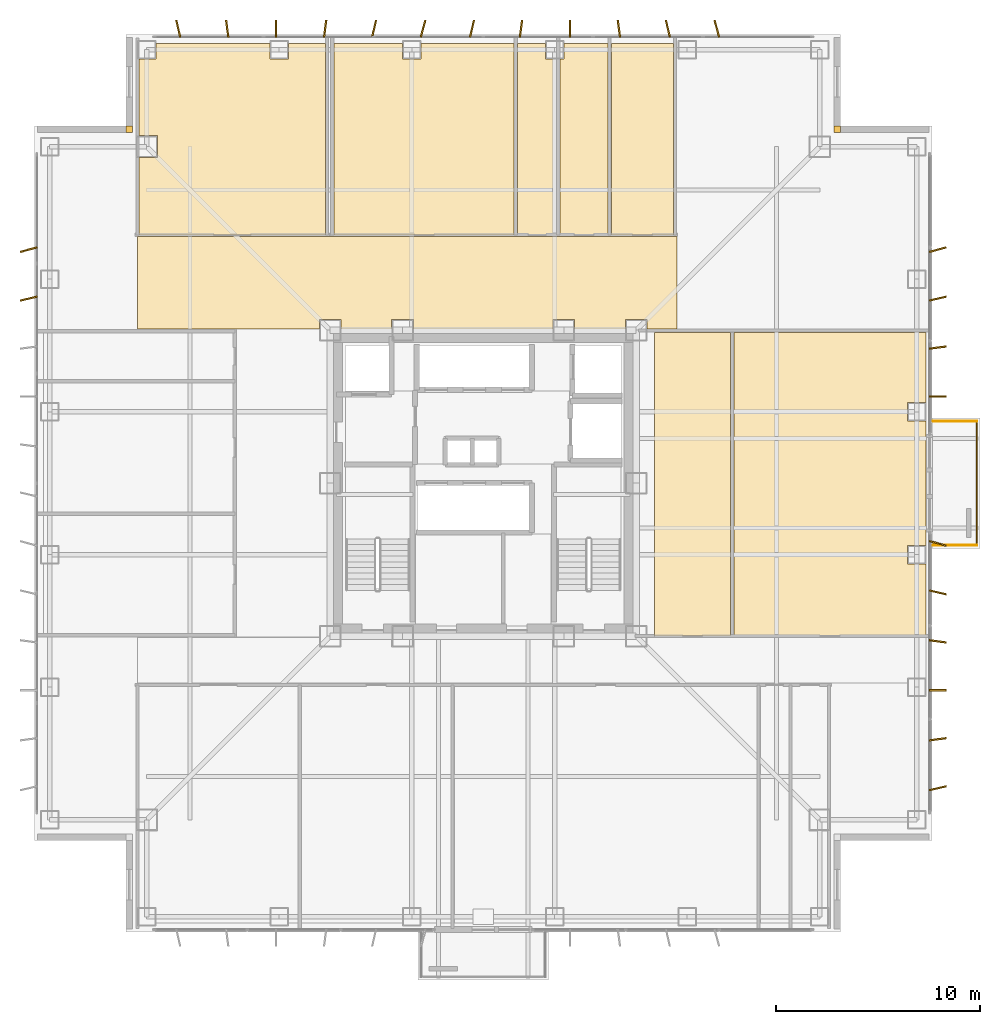
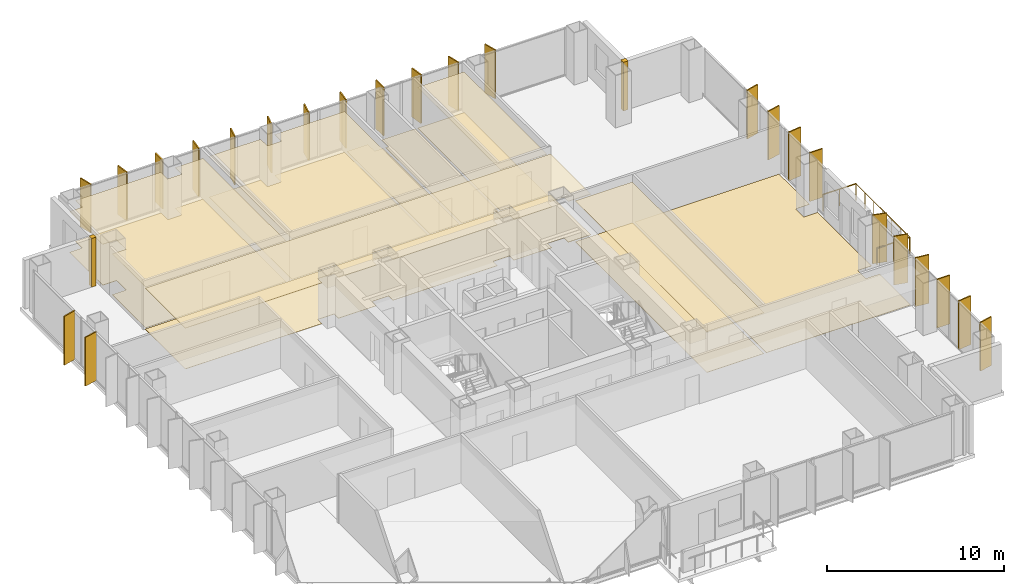
# One storey, part 18 of 18: 24 shading devices, 15 coverings, 3 railings.
"""IFC4 building model written with IfcOpenShell, lengths in metres."""

from ifc_helpers import new_model, si_unit, direction, frame, origin, origin_2d, place, context, subcontext, project, spatial, polyline, rectangle, circle, outline, extrude, material, layer, layer_set, type_object, element, save


model = new_model("IFC4")

# Units and contexts
model_context = context("Model", 3, precision=1e-05, world=origin(), true_north=direction((0.0, 1.0)))
body_context = subcontext(model_context, "Body", "Model", "MODEL_VIEW")
ifc_project = project(units=[si_unit("LENGTHUNIT", "METRE"), si_unit("AREAUNIT", "SQUARE_METRE"), si_unit("VOLUMEUNIT", "CUBIC_METRE"), si_unit("PLANEANGLEUNIT", "RADIAN"), si_unit("MASSUNIT", "GRAM", prefix="KILO")], contexts=[model_context])

# Site, building, storey
site_placement = place(None, origin())
site = spatial("IfcSite", under=ifc_project, at=site_placement, CompositionType="ELEMENT")
building_placement = place(site_placement, origin())
building = spatial("IfcBuilding", under=site, at=building_placement, Name="Trevonay Congress Spire", CompositionType="ELEMENT")
storey_placement = place(building_placement, frame((0.0, 0.0, 104.800048828125)))
storey = spatial("IfcBuildingStorey", under=building, at=storey_placement, Name="L26", CompositionType="ELEMENT", Elevation=104.800048828125)

# Coverings
ifc_material_1 = material(Name="Acoustic Mineral Fibre Board", Category="gypsum")
ifc_layer_1 = layer(ifc_material_1, 0.02490234375, Name="Acoustic Mineral Fibre Board")
ifc_layer_set_1 = layer_set([ifc_layer_1], Name="Acoustic Mineral Fibre Board")
covering_type_1 = type_object("IfcCoveringType", Name="COV-CEIL-ACOUSTIC", PredefinedType="CEILING", material=ifc_layer_set_1)
covering_1_placement = place(storey_placement, frame((0.0, 0.0, 2.81005859375)))
element("IfcCovering", 1, at=covering_1_placement, inside=storey, type_object=covering_type_1, Name="L26 North Sky Promenade Salon acoustic suspended ceiling", PredefinedType="CEILING", context=body_context, shape_type="SweptSolid", body=[
    extrude(outline(polyline([(-16.949951171875, 12.10009765625), (9.5, 12.10009765625), (9.5, 7.550048828125), (8.034912109375, 7.550048828125), (8.034912109375, 8.034912109375), (6.965087890625, 8.034912109375), (6.965087890625, 7.550048828125), (4.485107421875, 7.550048828125), (4.485107421875, 8.034912109375), (3.4150390625, 8.034912109375), (3.4150390625, 7.550048828125), (-3.4150390625, 7.550048828125), (-3.4150390625, 8.034912109375), (-4.485107421875, 8.034912109375), (-4.485107421875, 7.550048828125), (-6.965087890625, 7.550048828125), (-6.965087890625, 8.034912109375), (-8.034912109375, 8.034912109375), (-8.034912109375, 7.56005859375), (-12.110107421875, 7.56005859375), (-12.110107421875, 7.550048828125), (-16.949951171875, 7.550048828125), (-16.949951171875, 12.10009765625)])), origin(), (0.0, 0.0, 1.0), 0.02490234375),
])
covering_2_placement = place(storey_placement, frame((0.0, 0.0, 2.81005859375)))
element("IfcCovering", 2, at=covering_2_placement, inside=storey, type_object=covering_type_1, Name="L26 Treaty Seminar Salon North-West acoustic suspended ceiling", PredefinedType="CEILING", context=body_context, shape_type="SweptSolid", body=[
    extrude(outline(polyline([(-7.72998046875, 21.550048828125), (-7.72998046875, 12.179931640625), (-16.8701171875, 12.179931640625), (-16.8701171875, 15.965087890625), (-15.965087890625, 15.965087890625), (-15.965087890625, 17.034912109375), (-16.8701171875, 17.034912109375), (-16.8701171875, 20.7900390625), (-16.0400390625, 20.7900390625), (-16.0400390625, 21.550048828125), (-10.4599609375, 21.550048828125), (-10.4599609375, 20.7900390625), (-9.5400390625, 20.7900390625), (-9.5400390625, 21.550048828125), (-7.72998046875, 21.550048828125)])), origin(), (0.0, 0.0, 1.0), 0.02490234375),
])
covering_3_placement = place(storey_placement, frame((0.0, 0.0, 2.81005859375)))
element("IfcCovering", 3, at=covering_3_placement, inside=storey, type_object=covering_type_1, Name="L26 North-East Policy Research Studio acoustic suspended ceiling", PredefinedType="CEILING", context=body_context, shape_type="SweptSolid", body=[
    extrude(outline(polyline([(1.52001953125, 21.550048828125), (1.52001953125, 12.179931640625), (-7.320068359375, 12.179931640625), (-7.320068359375, 21.550048828125), (-3.9599609375, 21.550048828125), (-3.9599609375, 20.7900390625), (-3.0400390625, 20.7900390625), (-3.0400390625, 21.550048828125), (1.52001953125, 21.550048828125)])), origin(), (0.0, 0.0, 1.0), 0.02490234375),
])
covering_4_placement = place(storey_placement, frame((0.0, 0.0, 2.81005859375)))
element("IfcCovering", 4, at=covering_4_placement, inside=storey, type_object=covering_type_1, Name="L26 Tea Pantry acoustic suspended ceiling", PredefinedType="CEILING", context=body_context, shape_type="SweptSolid", body=[
    extrude(outline(polyline([(6.280029296875, 12.179931640625), (9.320068359375, 12.179931640625), (9.320068359375, 21.550048828125), (6.280029296875, 21.550048828125), (6.280029296875, 12.179931640625)])), origin(), (0.0, 0.0, 1.0), 0.02490234375),
])
covering_5_placement = place(storey_placement, frame((0.0, 0.0, 2.81005859375)))
element("IfcCovering", 5, at=covering_5_placement, inside=storey, type_object=covering_type_1, Name="L26 East Briefing Office acoustic suspended ceiling", PredefinedType="CEILING", context=body_context, shape_type="SweptSolid", body=[
    extrude(outline(polyline([(8.39990234375, -7.47998046875), (12.1201171875, -7.47998046875), (12.1201171875, 7.39990234375), (8.39990234375, 7.39990234375), (8.39990234375, -7.47998046875)])), origin(), (0.0, 0.0, 1.0), 0.02490234375),
])
ifc_material_2 = material(Name="Polished Granite Floor Tile", Category="masonry")
ifc_layer_2 = layer(ifc_material_2, 0.02001953125, Name="Polished Granite Floor Tile")
ifc_layer_set_2 = layer_set([ifc_layer_2], Name="Polished Granite Floor Tile")
covering_type_2 = type_object("IfcCoveringType", Name="COV-FLOOR-STONE", PredefinedType="FLOORING", material=ifc_layer_set_2)
covering_6_placement = place(storey_placement, origin())
element("IfcCovering", 6, at=covering_6_placement, inside=storey, type_object=covering_type_2, Name="L26 Female Restroom WC floor finish", PredefinedType="FLOORING", context=body_context, shape_type="SweptSolid", body=[
    extrude(outline(polyline([(3.60009765625, 12.179931640625), (1.679931640625, 12.179931640625), (1.679931640625, 21.550048828125), (3.0400390625, 21.550048828125), (3.0400390625, 20.7900390625), (3.60009765625, 20.7900390625), (3.60009765625, 12.179931640625)])), origin(), (0.0, 0.0, 1.0), 0.02001953125),
])
covering_7_placement = place(storey_placement, origin())
element("IfcCovering", 7, at=covering_7_placement, inside=storey, type_object=covering_type_2, Name="L26 Floor Supplies and Copy Room floor finish", PredefinedType="FLOORING", context=body_context, shape_type="SweptSolid", body=[
    extrude(outline(polyline([(6.1201171875, 21.550048828125), (6.1201171875, 12.179931640625), (3.760009765625, 12.179931640625), (3.760009765625, 20.7900390625), (3.9599609375, 20.7900390625), (3.9599609375, 21.550048828125), (6.1201171875, 21.550048828125)])), origin(), (0.0, 0.0, 1.0), 0.02001953125),
])
covering_8_placement = place(storey_placement, origin())
element("IfcCovering", 8, at=covering_8_placement, inside=storey, type_object=covering_type_2, Name="L26 Tea Pantry floor finish", PredefinedType="FLOORING", context=body_context, shape_type="SweptSolid", body=[
    extrude(outline(polyline([(6.280029296875, 12.179931640625), (9.320068359375, 12.179931640625), (9.320068359375, 21.550048828125), (6.280029296875, 21.550048828125), (6.280029296875, 12.179931640625)])), origin(), (0.0, 0.0, 1.0), 0.02001953125),
])
covering_9_placement = place(storey_placement, origin())
element("IfcCovering", 9, at=covering_9_placement, inside=storey, type_object=covering_type_2, Name="L26 Archive Copy Room floor finish", PredefinedType="FLOORING", context=body_context, shape_type="SweptSolid", body=[
    extrude(outline(polyline([(21.699951171875, -7.47998046875), (12.280029296875, -7.47998046875), (12.280029296875, 7.39990234375), (21.699951171875, 7.39990234375), (21.699951171875, 3.9599609375), (20.7900390625, 3.9599609375), (20.7900390625, 3.0400390625), (21.699951171875, 3.0400390625), (21.699951171875, -3.0400390625), (20.7900390625, -3.0400390625), (20.7900390625, -3.9599609375), (21.699951171875, -3.9599609375), (21.699951171875, -7.47998046875)])), origin(), (0.0, 0.0, 1.0), 0.02001953125),
])
ifc_material_3 = material(Name="Engineered Oak Flooring", Category="wood")
ifc_layer_3 = layer(ifc_material_3, 0.01806640625, Name="Engineered Oak Flooring")
ifc_layer_set_3 = layer_set([ifc_layer_3], Name="Engineered Oak Flooring")
covering_type_3 = type_object("IfcCoveringType", Name="COV-FLOOR-TIMBER", PredefinedType="FLOORING", material=ifc_layer_set_3)
covering_10_placement = place(storey_placement, origin())
element("IfcCovering", 10, at=covering_10_placement, inside=storey, type_object=covering_type_3, Name="L26 North Sky Promenade Salon floor finish", PredefinedType="FLOORING", context=body_context, shape_type="SweptSolid", body=[
    extrude(outline(polyline([(-16.949951171875, 12.10009765625), (9.5, 12.10009765625), (9.5, 7.550048828125), (8.034912109375, 7.550048828125), (8.034912109375, 8.034912109375), (6.965087890625, 8.034912109375), (6.965087890625, 7.550048828125), (4.485107421875, 7.550048828125), (4.485107421875, 8.034912109375), (3.4150390625, 8.034912109375), (3.4150390625, 7.550048828125), (-3.4150390625, 7.550048828125), (-3.4150390625, 8.034912109375), (-4.485107421875, 8.034912109375), (-4.485107421875, 7.550048828125), (-6.965087890625, 7.550048828125), (-6.965087890625, 8.034912109375), (-8.034912109375, 8.034912109375), (-8.034912109375, 7.56005859375), (-12.110107421875, 7.56005859375), (-12.110107421875, 7.550048828125), (-16.949951171875, 7.550048828125), (-16.949951171875, 12.10009765625)])), origin(), (0.0, 0.0, 1.0), 0.01806640625),
])
covering_11_placement = place(storey_placement, origin())
element("IfcCovering", 11, at=covering_11_placement, inside=storey, type_object=covering_type_3, Name="L26 Treaty Seminar Salon North-West floor finish", PredefinedType="FLOORING", context=body_context, shape_type="SweptSolid", body=[
    extrude(outline(polyline([(-7.72998046875, 21.550048828125), (-7.72998046875, 12.179931640625), (-16.8701171875, 12.179931640625), (-16.8701171875, 15.965087890625), (-15.965087890625, 15.965087890625), (-15.965087890625, 17.034912109375), (-16.8701171875, 17.034912109375), (-16.8701171875, 20.7900390625), (-16.0400390625, 20.7900390625), (-16.0400390625, 21.550048828125), (-10.4599609375, 21.550048828125), (-10.4599609375, 20.7900390625), (-9.5400390625, 20.7900390625), (-9.5400390625, 21.550048828125), (-7.72998046875, 21.550048828125)])), origin(), (0.0, 0.0, 1.0), 0.01806640625),
])
covering_12_placement = place(storey_placement, origin())
element("IfcCovering", 12, at=covering_12_placement, inside=storey, type_object=covering_type_3, Name="L26 North-East Policy Research Studio floor finish", PredefinedType="FLOORING", context=body_context, shape_type="SweptSolid", body=[
    extrude(outline(polyline([(1.52001953125, 21.550048828125), (1.52001953125, 12.179931640625), (-7.320068359375, 12.179931640625), (-7.320068359375, 21.550048828125), (-3.9599609375, 21.550048828125), (-3.9599609375, 20.7900390625), (-3.0400390625, 20.7900390625), (-3.0400390625, 21.550048828125), (1.52001953125, 21.550048828125)])), origin(), (0.0, 0.0, 1.0), 0.01806640625),
])
covering_13_placement = place(storey_placement, origin())
element("IfcCovering", 13, at=covering_13_placement, inside=storey, type_object=covering_type_3, Name="L26 East Briefing Office floor finish", PredefinedType="FLOORING", context=body_context, shape_type="SweptSolid", body=[
    extrude(outline(polyline([(8.39990234375, -7.47998046875), (12.1201171875, -7.47998046875), (12.1201171875, 7.39990234375), (8.39990234375, 7.39990234375), (8.39990234375, -7.47998046875)])), origin(), (0.0, 0.0, 1.0), 0.01806640625),
])
ifc_material_4 = material(Name="Pale Anodised Aluminium EN AW-6063-T6", Category="aluminium")
ifc_layer_4 = layer(ifc_material_4, 0.0400390625, Name="Pale Anodised Aluminium EN AW-6063-T6")
ifc_layer_set_4 = layer_set([ifc_layer_4], Name="Pale Anodised Aluminium EN AW-6063-T6")
covering_type_4 = type_object("IfcCoveringType", Name="COV-SPANDREL-PALE-METAL", PredefinedType="CLADDING", material=ifc_layer_set_4)
covering_14_placement = place(storey_placement, origin())
element("IfcCovering", 14, at=covering_14_placement, inside=storey, type_object=covering_type_4, Name="L26 NE re-entrant notch corner closure trim", PredefinedType="CLADDING", context=body_context, shape_type="SweptSolid", body=[
    extrude(outline(polyline([(17.199951171875, 17.199951171875), (17.5, 17.199951171875), (17.5, 17.5), (17.199951171875, 17.5), (17.199951171875, 17.199951171875)])), origin(), (0.0, 0.0, 1.0), 3.35986328125),
])
covering_15_placement = place(storey_placement, origin())
element("IfcCovering", 15, at=covering_15_placement, inside=storey, type_object=covering_type_4, Name="L26 NW re-entrant notch corner closure trim", PredefinedType="CLADDING", context=body_context, shape_type="SweptSolid", body=[
    extrude(outline(polyline([(-17.5, 17.199951171875), (-17.199951171875, 17.199951171875), (-17.199951171875, 17.5), (-17.5, 17.5), (-17.5, 17.199951171875)])), origin(), (0.0, 0.0, 1.0), 3.35986328125),
])

# Railings
railing_type = type_object("IfcRailingType", Name="RAL-EXT-GUARD-115", PredefinedType="GUARDRAIL", material=ifc_material_4)
railing_1_placement = place(storey_placement, frame((22.050048828125, -3.050048828125, 0.0)))
element("IfcRailing", 16, at=railing_1_placement, inside=storey, type_object=railing_type, Name="L26 perimeter safety guard GRD-L26-TBAL-E-1", PredefinedType="GUARDRAIL", context=body_context, shape_type="SweptSolid", body=[
    extrude(circle(Radius=0.02392578125, at=origin_2d()), frame((0.0, 0.0, 1.1259765625), z_axis=(1.0, 0.0, 0.0), x_axis=(0.0, 1.0, 0.0)), (0.0, 0.0, 1.0), 2.14990234375),
    extrude(circle(Radius=0.02099609375, at=origin_2d()), origin(), (0.0, 0.0, 1.0), 1.101806640625),
    extrude(circle(Radius=0.02099609375, at=origin_2d()), frame((1.074951171875, 0.0, 0.0)), (0.0, 0.0, 1.0), 1.101806640625),
    extrude(circle(Radius=0.02099609375, at=origin_2d()), frame((2.14990234375, 0.0, 0.0)), (0.0, 0.0, 1.0), 1.101806640625),
])
railing_2_placement = place(storey_placement, frame((24.199951171875, -3.050048828125, 0.0)))
element("IfcRailing", 17, at=railing_2_placement, inside=storey, type_object=railing_type, Name="L26 perimeter safety guard GRD-L26-TBAL-E-2", PredefinedType="GUARDRAIL", context=body_context, shape_type="SweptSolid", body=[
    extrude(circle(Radius=0.02392578125, at=origin_2d()), frame((0.0, 0.0, 1.1259765625), z_axis=(0.0, 1.0, 0.0), x_axis=(-1.0, 0.0, 0.0)), (0.0, 0.0, 1.0), 6.10009765625),
    extrude(circle(Radius=0.02099609375, at=origin_2d()), origin(), (0.0, 0.0, 1.0), 1.101806640625),
    extrude(circle(Radius=0.02099609375, at=origin_2d()), frame((0.0, 1.0166015625, 0.0)), (0.0, 0.0, 1.0), 1.101806640625),
    extrude(circle(Radius=0.02099609375, at=origin_2d()), frame((0.0, 2.033447265625, 0.0)), (0.0, 0.0, 1.0), 1.101806640625),
    extrude(circle(Radius=0.02099609375, at=origin_2d()), frame((0.0, 3.050048828125, 0.0)), (0.0, 0.0, 1.0), 1.101806640625),
    extrude(circle(Radius=0.02099609375, at=origin_2d()), frame((0.0, 4.066650390625, 0.0)), (0.0, 0.0, 1.0), 1.101806640625),
    extrude(circle(Radius=0.02099609375, at=origin_2d()), frame((0.0, 5.08349609375, 0.0)), (0.0, 0.0, 1.0), 1.101806640625),
    extrude(circle(Radius=0.02099609375, at=origin_2d()), frame((0.0, 6.10009765625, 0.0)), (0.0, 0.0, 1.0), 1.101806640625),
])
railing_3_placement = place(storey_placement, frame((24.199951171875, 3.050048828125, 0.0)))
element("IfcRailing", 18, at=railing_3_placement, inside=storey, type_object=railing_type, Name="L26 perimeter safety guard GRD-L26-TBAL-E-3", PredefinedType="GUARDRAIL", context=body_context, shape_type="SweptSolid", body=[
    extrude(circle(Radius=0.02392578125, at=origin_2d()), frame((0.0, 0.0, 1.1259765625), z_axis=(-1.0, 0.0, 0.0), x_axis=(0.0, -1.0, 0.0)), (0.0, 0.0, 1.0), 2.14990234375),
    extrude(circle(Radius=0.02099609375, at=origin_2d()), origin(), (0.0, 0.0, 1.0), 1.101806640625),
    extrude(circle(Radius=0.02099609375, at=origin_2d()), frame((-1.074951171875, 0.0, 0.0)), (0.0, 0.0, 1.0), 1.101806640625),
    extrude(circle(Radius=0.02099609375, at=origin_2d()), frame((-2.14990234375, 0.0, 0.0)), (0.0, 0.0, 1.0), 1.101806640625),
])

# Shading devices
shading_device_type = type_object("IfcShadingDeviceType", Name="SHD-FIN-Z2-PALE-METAL", PredefinedType="USERDEFINED", material=ifc_material_4)
for number, where, z_axis, x_axis, name in (
    (19, (-14.949951171875, 22.280029296875, 0.0), (0.0, 0.0, 1.0), (0.97440931131, 0.224780991261, 0.0), "L26 N vertical pale-metal solar fin 1"),
    (20, (-12.550048828125, 22.280029296875, 0.0), (0.0, 0.0, 1.0), (0.991444861374, 0.13052619222, 0.0), "L26 N vertical pale-metal solar fin 2"),
    (21, (-10.14990234375, 22.280029296875, 0.0), (0.0, 0.0, 1.0), (1.0, 0.0, 0.0), "L26 N vertical pale-metal solar fin 3"),
    (22, (-7.75, 22.280029296875, 0.0), (0.0, 0.0, 1.0), (0.991444861374, -0.13052619222, 0.0), "L26 N vertical pale-metal solar fin 4"),
    (23, (-5.35009765625, 22.280029296875, 0.0), (0.0, 0.0, 1.0), (0.97440931131, -0.224780991261, 0.0), "L26 N vertical pale-metal solar fin 5"),
    (24, (-2.949951171875, 22.280029296875, 0.0), (0.0, 0.0, 1.0), (0.965925826289, -0.258819045103, 0.0), "L26 N vertical pale-metal solar fin 6"),
    (25, (-0.550048828125, 22.280029296875, 0.0), (0.0, 0.0, 1.0), (0.97440931131, -0.224780991261, 0.0), "L26 N vertical pale-metal solar fin 7"),
    (26, (1.85009765625, 22.280029296875, 0.0), (0.0, 0.0, 1.0), (0.991444861374, -0.13052619222, 0.0), "L26 N vertical pale-metal solar fin 8"),
    (27, (4.25, 22.280029296875, 0.0), (0.0, 0.0, 1.0), (1.0, 0.0, 0.0), "L26 N vertical pale-metal solar fin 9"),
    (28, (6.64990234375, 22.280029296875, 0.0), (0.0, 0.0, 1.0), (0.991444861374, 0.13052619222, 0.0), "L26 N vertical pale-metal solar fin 10"),
    (29, (9.050048828125, 22.280029296875, 0.0), (0.0, 0.0, 1.0), (0.97440931131, 0.224780991261, 0.0), "L26 N vertical pale-metal solar fin 11"),
    (30, (11.449951171875, 22.280029296875, 0.0), (0.0, 0.0, 1.0), (0.965925826289, 0.258819045103, 0.0), "L26 N vertical pale-metal solar fin 12"),
    (31, (-22.280029296875, 9.050048828125, 0.0), (0.0, 0.0, 1.0), (-0.224780991261, 0.97440931131, 0.0), "L26 W vertical pale-metal solar fin 11"),
    (32, (-22.280029296875, 11.449951171875, 0.0), (0.0, 0.0, 1.0), (-0.258819045103, 0.965925826289, 0.0), "L26 W vertical pale-metal solar fin 12"),
    (33, (22.280029296875, -14.949951171875, 0.0), (0.0, 0.0, 1.0), (-0.224780991261, 0.97440931131, 0.0), "L26 E vertical pale-metal solar fin 1"),
    (34, (22.280029296875, -12.550048828125, 0.0), (0.0, 0.0, 1.0), (-0.13052619222, 0.991444861374, 0.0), "L26 E vertical pale-metal solar fin 2"),
    (35, (22.280029296875, -10.14990234375, 0.0), (0.0, 0.0, 1.0), (0.0, 1.0, 0.0), "L26 E vertical pale-metal solar fin 3"),
    (36, (22.280029296875, -7.75, 0.0), (0.0, 0.0, 1.0), (0.13052619222, 0.991444861374, 0.0), "L26 E vertical pale-metal solar fin 4"),
    (37, (22.280029296875, -5.35009765625, 0.0), (0.0, 0.0, 1.0), (0.224780991261, 0.97440931131, 0.0), "L26 E vertical pale-metal solar fin 5"),
    (38, (22.280029296875, -2.949951171875, 0.0), (0.0, 0.0, 1.0), (0.258819045103, 0.965925826289, 0.0), "L26 E vertical pale-metal solar fin 6"),
    (39, (22.280029296875, 4.25, 0.0), (0.0, 0.0, 1.0), (0.0, 1.0, 0.0), "L26 E vertical pale-metal solar fin 9"),
    (40, (22.280029296875, 6.64990234375, 0.0), (0.0, 0.0, 1.0), (-0.13052619222, 0.991444861374, 0.0), "L26 E vertical pale-metal solar fin 10"),
    (41, (22.280029296875, 9.050048828125, 0.0), (0.0, 0.0, 1.0), (-0.224780991261, 0.97440931131, 0.0), "L26 E vertical pale-metal solar fin 11"),
    (42, (22.280029296875, 11.449951171875, 0.0), (0.0, 0.0, 1.0), (-0.258819045103, 0.965925826289, 0.0), "L26 E vertical pale-metal solar fin 12"),
):
    element("IfcShadingDevice", number, at=place(storey_placement, frame(where, z_axis=z_axis, x_axis=x_axis)), inside=storey, type_object=shading_device_type, Name=name, ObjectType="SOLAR FIN", PredefinedType="USERDEFINED", context=body_context, shape_type="SweptSolid", body=[
        extrude(rectangle(XDim=0.080078125, YDim=0.85009765625, at=origin_2d()), origin(), (0.0, 0.0, 1.0), 3.360107421875),
    ])

save(model, "model.ifc")
